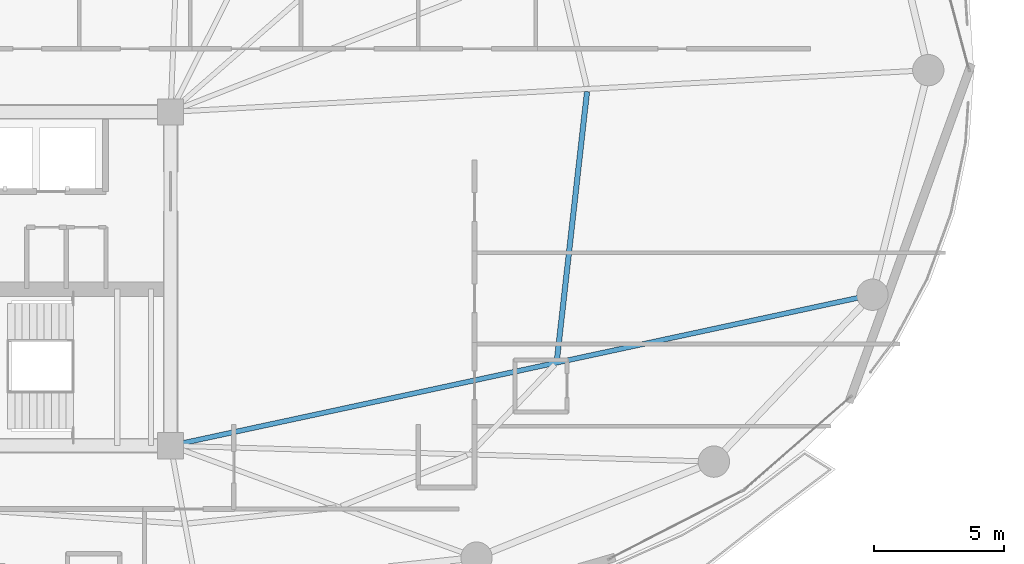
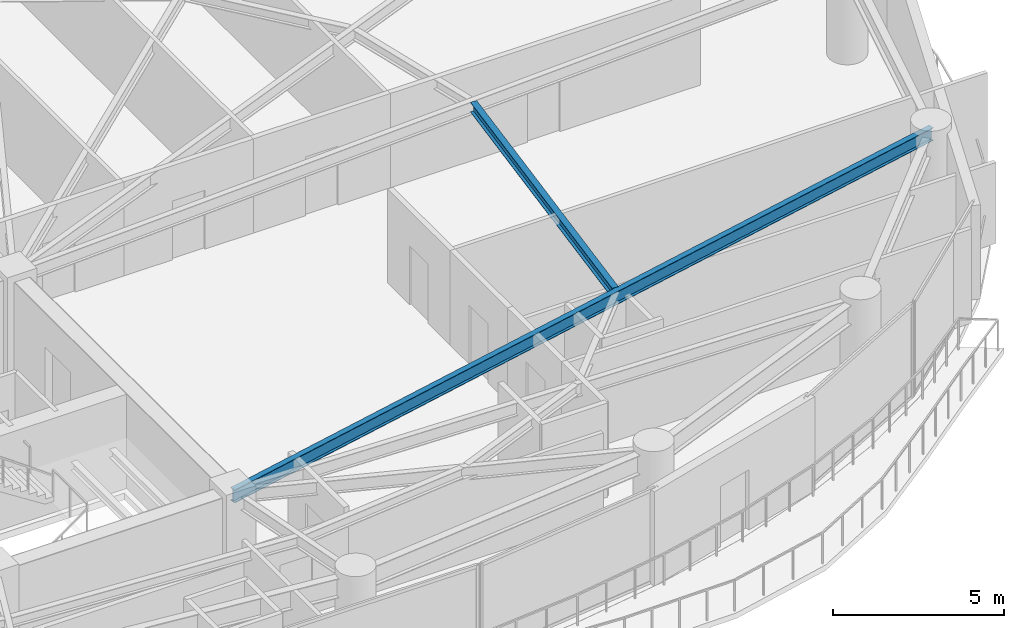
# One storey, part 12 of 28: 2 beams.
"""IFC4 building model written with IfcOpenShell, lengths in metres."""

import ifcopenshell
import ifcopenshell.guid

model = None  # the IFC model being written
_history = None  # IfcOwnerHistory: only IFC2X3 demands one
_inside = {}  # id of a spatial element -> (the spatial element, [elements in it])
_under = {}  # id of a project, library or spatial element -> (it, [spatial elements below it])
_declared = {}  # id of a project -> (the project, [libraries it declares])
_typed = {}  # id of a type object -> (the type object, [elements of that type])
_made_of = {}  # id of a material, layer set ... -> (it, [elements and type objects made of it])


def new_model(schema):
    """Start an empty IFC model of exactly this schema.

    Asked for "IFC4X3", IfcOpenShell would pick the latest addendum, in which some entities
    have other attributes; the version numbers below select the first issue.
    IFC2X3 requires an IfcOwnerHistory on every rooted entity: one is made here for all.
    """
    global model, _history
    if schema == "IFC4X3":
        model = ifcopenshell.file(schema_version=(4, 3, 0, 0))
    else:
        model = ifcopenshell.file(schema=schema)
    _inside.clear()
    _under.clear()
    _declared.clear()
    _typed.clear()
    _made_of.clear()
    _history = None
    if model.schema == "IFC2X3":
        org = make("IfcOrganization", Name="unknown")
        user = make(
            "IfcPersonAndOrganization",
            ThePerson=make("IfcPerson", FamilyName="unknown"),
            TheOrganization=org,
        )
        app = make(
            "IfcApplication",
            ApplicationDeveloper=org,
            Version="unknown",
            ApplicationFullName="unknown",
            ApplicationIdentifier="unknown",
        )
        _history = make(
            "IfcOwnerHistory",
            OwningUser=user,
            OwningApplication=app,
            ChangeAction="ADDED",
            CreationDate=0,
        )
    return model


def make(cls, **values):
    """One entity of the class cls with the attributes given. An attribute that is None is left unset."""
    return model.create_entity(
        cls, **{name: value for name, value in values.items() if value is not None}
    )


def rooted(cls, **values):
    """An entity with a GlobalId (a new one), such as an element, a storey or a relation."""
    return make(cls, GlobalId=ifcopenshell.guid.new(), OwnerHistory=_history, **values)


def si_unit(unit_type, name, prefix=None):
    """IfcSIUnit, for example si_unit("LENGTHUNIT", "METRE", prefix="MILLI")."""
    return make("IfcSIUnit", UnitType=unit_type, Prefix=prefix, Name=name)


def assignment(units):
    """IfcUnitAssignment: the units of a project."""
    return None if units is None else make("IfcUnitAssignment", Units=units)


def point(xyz):
    """IfcCartesianPoint."""
    return None if xyz is None else make("IfcCartesianPoint", Coordinates=xyz)


def direction(xyz):
    """IfcDirection."""
    return None if xyz is None else make("IfcDirection", DirectionRatios=xyz)


def frame(location, z_axis=None, x_axis=None):
    """IfcAxis2Placement3D, a coordinate frame: its origin and axes. An axis left out is left unset."""
    return make(
        "IfcAxis2Placement3D",
        Location=point(location),
        Axis=direction(z_axis),
        RefDirection=direction(x_axis),
    )


def frame_2d(location, x_axis=None):
    """IfcAxis2Placement2D, a coordinate frame in the plane: its origin and x axis."""
    return make(
        "IfcAxis2Placement2D", Location=point(location), RefDirection=direction(x_axis)
    )


def origin():
    """The frame at (0, 0, 0) with its axes left unset."""
    return frame((0.0, 0.0, 0.0))


def origin_2d():
    """The frame at (0, 0) in the plane with its x axis left unset."""
    return frame_2d((0.0, 0.0))


def place(relative_to, where):
    """IfcLocalPlacement: puts the frame where relative to a parent placement (None: the world)."""
    return make(
        "IfcLocalPlacement", PlacementRelTo=relative_to, RelativePlacement=where
    )


def context(
    kind, dimensions, precision=None, world=None, true_north=None, identifier=None
):
    """IfcGeometricRepresentationContext, for example the 3D "Model" context."""
    return make(
        "IfcGeometricRepresentationContext",
        ContextIdentifier=identifier,
        ContextType=kind,
        CoordinateSpaceDimension=dimensions,
        Precision=precision,
        WorldCoordinateSystem=world,
        TrueNorth=true_north,
    )


def subcontext(parent, identifier, kind, view, scale=None):
    """IfcGeometricRepresentationSubContext, for example "Body" below "Model"."""
    return make(
        "IfcGeometricRepresentationSubContext",
        ContextIdentifier=identifier,
        ContextType=kind,
        ParentContext=parent,
        TargetScale=scale,
        TargetView=view,
    )


def project(units=None, contexts=None):
    """IfcProject with its units and contexts."""
    return rooted(
        "IfcProject",
        Name="project",
        RepresentationContexts=contexts,
        UnitsInContext=assignment(units),
    )


def spatial(cls, under=None, at=None, **own):
    """A site, building, storey or space (cls), placed at a placement, below another one or the project."""
    s = rooted(cls, ObjectPlacement=at, **own)
    if under is not None:
        _under.setdefault(under.id(), (under, []))[1].append(s)
    return s


def profile(cls, at=None, kind="AREA", **sizes):
    """A parametric profile (cls). Its sizes go by their IFC names, for example OverallWidth=200.0."""
    return make(cls, ProfileType=kind, Position=at, **sizes)


def i_section(**sizes):
    """IfcIShapeProfileDef."""
    return profile("IfcIShapeProfileDef", **sizes)


def extrude(swept, where, along, depth):
    """IfcExtrudedAreaSolid: the profile swept, set in the frame where, extruded along a direction by depth."""
    return make(
        "IfcExtrudedAreaSolid",
        SweptArea=swept,
        Position=where,
        ExtrudedDirection=direction(along),
        Depth=depth,
    )


def shape(context_of_items, identifier, shape_type, items):
    """IfcShapeRepresentation: the items that make up one representation, for example the "Body"."""
    return make(
        "IfcShapeRepresentation",
        ContextOfItems=context_of_items,
        RepresentationIdentifier=identifier,
        RepresentationType=shape_type,
        Items=items,
    )


def material(Name=None, Category=None):
    """IfcMaterial."""
    return make("IfcMaterial", Name=Name, Category=Category)


def material_profile(
    of_material, cross_section, Name=None, Category=None, Priority=None
):
    """IfcMaterialProfile: a cross section and its material."""
    return make(
        "IfcMaterialProfile",
        Name=Name,
        Material=of_material,
        Profile=cross_section,
        Priority=Priority,
        Category=Category,
    )


def profile_set(profiles, Name=None, composite=None):
    """IfcMaterialProfileSet."""
    return make(
        "IfcMaterialProfileSet",
        Name=Name,
        MaterialProfiles=profiles,
        CompositeProfile=composite,
    )


def made_of(thing, what):
    """Note that an element or type object is made of a material, layer set ...; save() writes the relation."""
    if what is not None:
        _made_of.setdefault(what.id(), (what, []))[1].append(thing)
    return thing


def type_object(cls, material=None, **own):
    """A type object (cls), such as IfcWallType, which elements share."""
    return made_of(rooted(cls, **own), material)


def element(
    cls,
    number,
    at=None,
    inside=None,
    cuts=None,
    type_object=None,
    material=None,
    context=None,
    identifier="Body",
    shape_type=None,
    held_by="IfcProductDefinitionShape",
    body=None,
    shapes=None,
    **own,
):
    """One element of the class cls, such as IfcWall. Its Tag is "e" and its number.

    at: its placement. inside: the storey or other place that contains it. cuts: it is an
    opening in that element (IfcRelVoidsElement). A single representation is given by context,
    identifier, shape_type and body (its items); several are given by shapes. held_by: the class
    of the entity that holds the representations. save() writes the other relations.
    """
    e = rooted(cls, Tag="e%d" % number, ObjectPlacement=at, **own)
    if body is not None:
        shapes = [shape(context, identifier, shape_type, body)]
    if shapes is not None:
        e.Representation = make(held_by, Representations=shapes)
    if inside is not None:
        _inside.setdefault(inside.id(), (inside, []))[1].append(e)
    if cuts is not None:
        rooted(
            "IfcRelVoidsElement", RelatingBuildingElement=cuts, RelatedOpeningElement=e
        )
    if type_object is not None:
        _typed.setdefault(type_object.id(), (type_object, []))[1].append(e)
    return made_of(e, material)


def aggregate(whole, parts):
    """IfcRelAggregates: a whole, such as a stair, and the parts it consists of."""
    return rooted("IfcRelAggregates", RelatingObject=whole, RelatedObjects=parts)


def save(model, path):
    """Write the relations noted so far, then the file.

    IfcRelAggregates (storeys below a building ...), IfcRelContainedInSpatialStructure (elements
    in a storey), IfcRelDefinesByType, IfcRelAssociatesMaterial and IfcRelDeclares: one each for
    every whole, place, type object, material and project.
    """
    for whole, parts in _under.values():
        aggregate(whole, parts)
    for where, things in _inside.values():
        rooted(
            "IfcRelContainedInSpatialStructure",
            RelatedElements=things,
            RelatingStructure=where,
        )
    for kind, things in _typed.values():
        rooted("IfcRelDefinesByType", RelatedObjects=things, RelatingType=kind)
    for what, things in _made_of.values():
        rooted("IfcRelAssociatesMaterial", RelatedObjects=things, RelatingMaterial=what)
    for by, libraries in _declared.values():
        rooted("IfcRelDeclares", RelatingContext=by, RelatedDefinitions=libraries)
    model.write(path)


model = new_model("IFC4")

# Units and contexts
model_context = context("Model", 3, precision=1e-05, world=origin(), true_north=direction((0.0, 1.0)))
body_context = subcontext(model_context, "Body", "Model", "MODEL_VIEW")
ifc_project = project(units=[si_unit("LENGTHUNIT", "METRE"), si_unit("AREAUNIT", "SQUARE_METRE"), si_unit("VOLUMEUNIT", "CUBIC_METRE"), si_unit("PLANEANGLEUNIT", "RADIAN"), si_unit("MASSUNIT", "GRAM", prefix="KILO")], contexts=[model_context])

# Site, building, storey
site_placement = place(None, origin())
site = spatial("IfcSite", under=ifc_project, at=site_placement, CompositionType="ELEMENT")
building_placement = place(site_placement, origin())
building = spatial("IfcBuilding", under=site, at=building_placement, Name="Kazevale Care Tower and Concert Hall", CompositionType="ELEMENT")
storey_placement = place(building_placement, frame((0.0, 0.0, 120.60009765625)))
storey = spatial("IfcBuildingStorey", under=building, at=storey_placement, Name="L31", CompositionType="ELEMENT", Elevation=120.60009765625)

# Beams
ifc_material = material(Name="Steel ASTM A572 Gr 50", Category="steel")
ifc_material_profile_1 = material_profile(ifc_material, i_section(OverallWidth=0.19091796875, OverallDepth=0.4599609375, WebThickness=0.010009765625, FlangeThickness=0.01611328125, at=origin_2d()), Name="W460x82")
ifc_profile_set_1 = profile_set([ifc_material_profile_1], Name="Steel ASTM A572 Gr 50")
beam_type_1 = type_object("IfcBeamType", Name="Radial Floor Beam W460x82", PredefinedType="BEAM", material=ifc_profile_set_1)
beam_1_placement = place(storey_placement, frame((44.0, 23.60009765625, 3.1298828125), z_axis=(0.97762801725, 0.210341293823, 0.0), x_axis=(-0.210341293823, 0.97762801725, 0.0)))
element("IfcBeam", 1, at=beam_1_placement, inside=storey, type_object=beam_type_1, Name="beam:L31:rad:16", PredefinedType="BEAM", context=body_context, shape_type="SweptSolid", body=[
    extrude(i_section(OverallWidth=0.19091796875, OverallDepth=0.4599609375, WebThickness=0.010009765625, FlangeThickness=0.01611328125, at=origin_2d()), origin(), (0.0, 0.0, 1.0), 27.525634765625),
])
ifc_material_profile_2 = material_profile(ifc_material, i_section(OverallWidth=0.205078125, OverallDepth=0.35400390625, WebThickness=0.009521484375, FlangeThickness=0.016845703125, at=origin_2d()), Name="W360x79")
ifc_profile_set_2 = profile_set([ifc_material_profile_2], Name="Steel ASTM A572 Gr 50")
beam_type_2 = type_object("IfcBeamType", Name="Secondary Floor Joist W360x79", PredefinedType="JOIST", material=ifc_profile_set_2)
beam_2_placement = place(storey_placement, frame((58.81201171875, 26.888916015625, 3.182861328125), z_axis=(0.111485011105, 0.993766115491, 0.0), x_axis=(-0.993766115491, 0.111485011105, 0.0)))
element("IfcBeam", 2, at=beam_2_placement, inside=storey, type_object=beam_type_2, Name="beam:L31:joist:16", PredefinedType="JOIST", context=body_context, shape_type="SweptSolid", body=[
    extrude(i_section(OverallWidth=0.205078125, OverallDepth=0.35400390625, WebThickness=0.009521484375, FlangeThickness=0.016845703125, at=origin_2d()), origin(), (0.0, 0.0, 1.0), 10.3515625),
])

save(model, "model.ifc")
